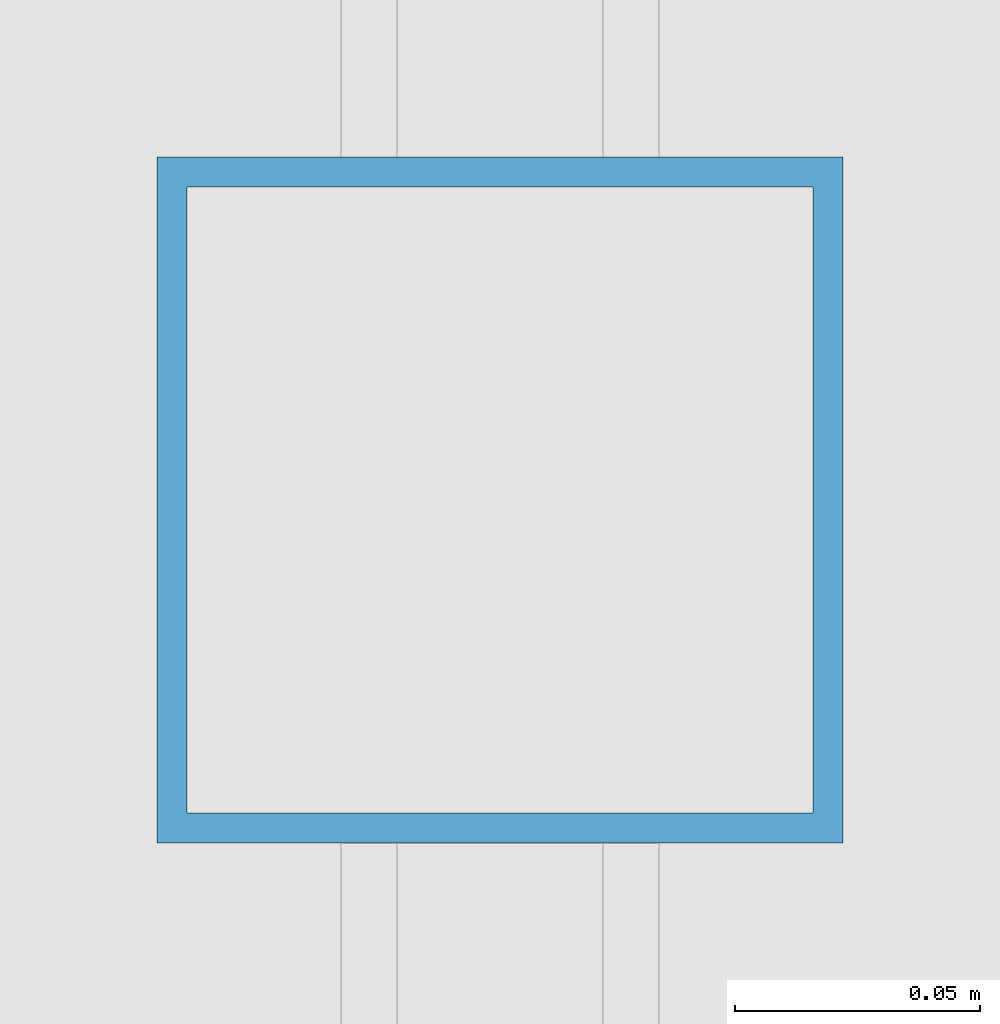
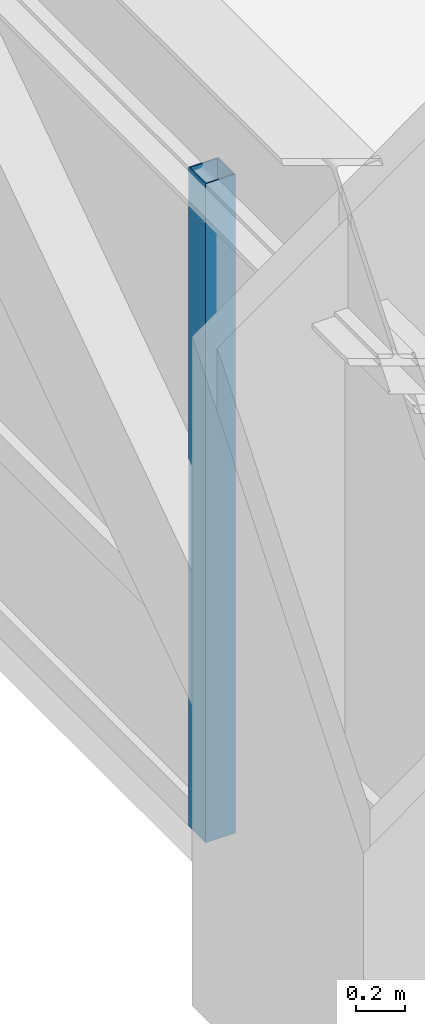
# One storey, part 6 of 31: 1 member, 1 element without a shape of its own.
"""IFC4 building model written with IfcOpenShell, lengths in metres."""

from ifc_helpers import new_model, si_unit, direction, frame, origin, origin_2d, place, context, subcontext, project, spatial, hollow_rectangle, extrude, source, transform, mapped, material, material_profile, profile_set, type_object, element, aggregate, save


model = new_model("IFC4")

# Units and contexts
model_context = context("Model", 3, precision=1e-05, world=origin(), true_north=direction((0.0, 1.0)))
body_context = subcontext(model_context, "Body", "Model", "MODEL_VIEW")
ifc_project = project(units=[si_unit("LENGTHUNIT", "METRE"), si_unit("AREAUNIT", "SQUARE_METRE"), si_unit("VOLUMEUNIT", "CUBIC_METRE"), si_unit("PLANEANGLEUNIT", "RADIAN"), si_unit("MASSUNIT", "GRAM", prefix="KILO")], contexts=[model_context])

# Site, building, storey
site_placement = place(None, origin())
site = spatial("IfcSite", under=ifc_project, at=site_placement, CompositionType="ELEMENT")
building_placement = place(site_placement, origin())
building = spatial("IfcBuilding", under=site, at=building_placement, Name="Khorayat Bourse Tower", CompositionType="ELEMENT")
storey_placement = place(building_placement, frame((0.0, 0.0, 32.60009765625)))
storey = spatial("IfcBuildingStorey", under=building, at=storey_placement, Name="L06", CompositionType="ELEMENT", Elevation=32.60009765625)

# Curtain wall, member
ifc_material = material(Name="Aluminium EN AW-6063 T6", Category="aluminium")
curtain_wall_type = type_object("IfcCurtainWallType", Name="CW-SYS-02", PredefinedType="NOTDEFINED", material=ifc_material)
curtain_wall_placement = place(storey_placement, origin())
curtain_wall = element("IfcCurtainWall", 1, at=curtain_wall_placement, inside=storey, type_object=curtain_wall_type, Name="L06 Curtain Wall CW-L06-W1", PredefinedType="NOTDEFINED")
ifc_material_profile = material_profile(ifc_material, hollow_rectangle(XDim=0.139892578125, YDim=0.139892578125, WallThickness=0.006103515625, at=origin_2d()), Name="ALU 140x140x6")
ifc_profile_set = profile_set([ifc_material_profile], Name="Aluminium EN AW-6063 T6")
member_type = type_object("IfcMemberType", Name="CWM-VERT-140", PredefinedType="MULLION", material=ifc_profile_set)
shared_shape = source(origin(), body_context, "Body", "SweptSolid", [
    extrude(hollow_rectangle(XDim=0.139892578125, YDim=0.139892578125, WallThickness=0.006103515625, at=origin_2d()), origin(), (0.0, 0.0, 1.0), 3.289794921875),
])
member_placement = place(storey_placement, frame((-32.0, -9.25, 0.0), z_axis=(0.0, 0.0, 1.0), x_axis=(-1.0, 0.0, 0.0)))
member = element("IfcMember", 2, at=member_placement, type_object=member_type, Name="CW-L06-W1 Vertical Mullion 2", PredefinedType="MULLION", context=body_context, shape_type="MappedRepresentation", body=[
    mapped(shared_shape, transform((0.0, 0.0, 0.0), scale=1.0)),
])
aggregate(curtain_wall, [member])

save(model, "model.ifc")
